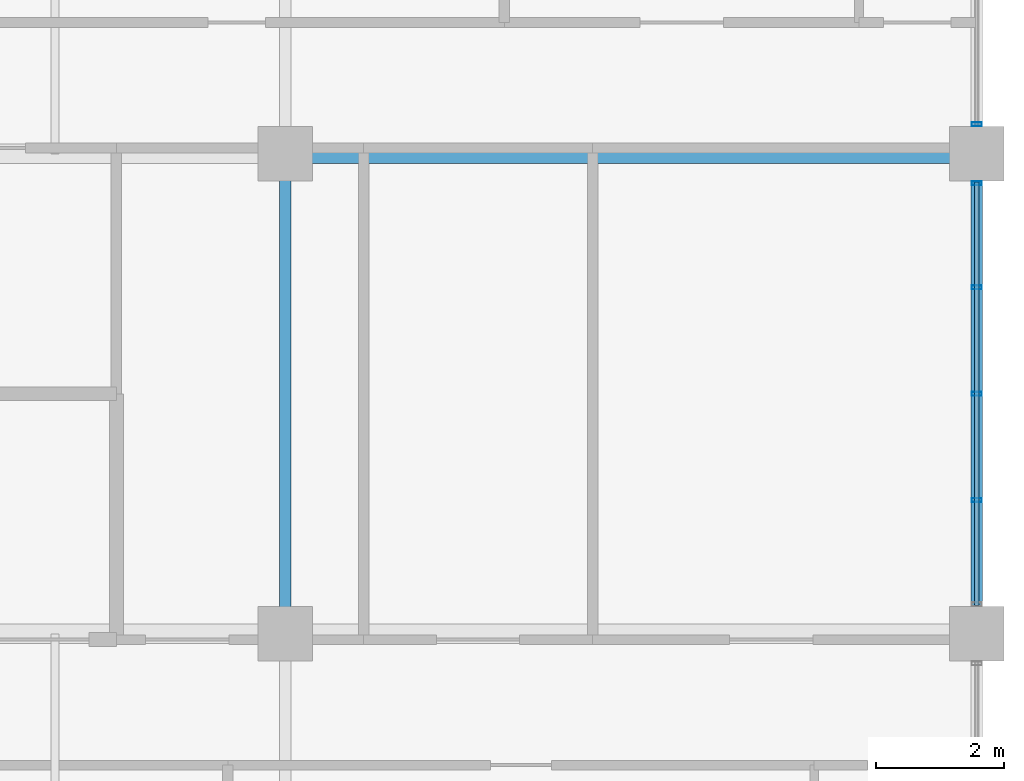
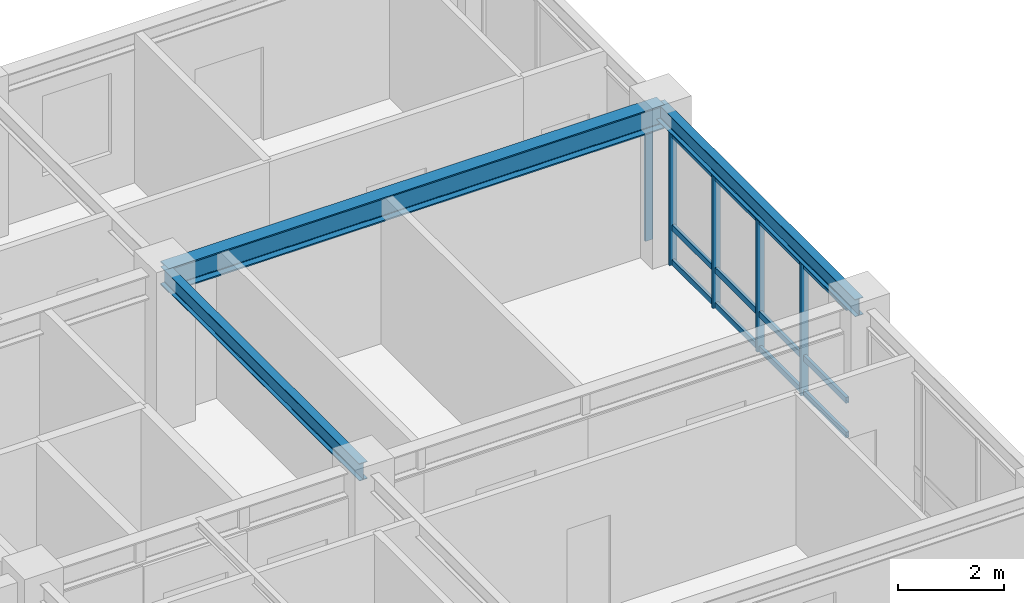
# One storey, part 3 of 10: 8 members, 3 beams, 2 elements without a shape of their own.
"""IFC4 building model written with IfcOpenShell, lengths in metres."""

from ifc_helpers import new_model, si_unit, direction, frame, origin, origin_2d, place, context, subcontext, project, spatial, hollow_rectangle, i_section, extrude, source, transform, mapped, material, layer, layer_set, material_profile, profile_set, type_object, element, aggregate, save


model = new_model("IFC4")

# Units and contexts
model_context = context("Model", 3, precision=1e-05, world=origin(), true_north=direction((0.0, 1.0)))
body_context = subcontext(model_context, "Body", "Model", "MODEL_VIEW")
ifc_project = project(units=[si_unit("LENGTHUNIT", "METRE"), si_unit("AREAUNIT", "SQUARE_METRE"), si_unit("VOLUMEUNIT", "CUBIC_METRE"), si_unit("PLANEANGLEUNIT", "RADIAN"), si_unit("MASSUNIT", "GRAM", prefix="KILO")], contexts=[model_context])

# Site, building, storey
site_placement = place(None, origin())
site = spatial("IfcSite", under=ifc_project, at=site_placement, CompositionType="ELEMENT")
building_placement = place(site_placement, origin())
building = spatial("IfcBuilding", under=site, at=building_placement, Name="Kaliganga Portal Commons", CompositionType="ELEMENT")
storey_placement = place(building_placement, frame((0.0, 0.0, 275.800048828125)))
storey = spatial("IfcBuildingStorey", under=building, at=storey_placement, Name="L71", CompositionType="ELEMENT", Elevation=275.800048828125)

# Beams
ifc_material_1 = material(Name="Structural steel S355J2", Category="steel")
ifc_material_profile_1 = material_profile(ifc_material_1, i_section(OverallWidth=0.300048828125, OverallDepth=0.550048828125, WebThickness=0.014892578125, FlangeThickness=0.029052734375, FilletRadius=0.027099609375, at=origin_2d()), Name="HE 550 B")
ifc_profile_set_1 = profile_set([ifc_material_profile_1], Name="Structural steel S355J2 wide-flange")
beam_type_1 = type_object("IfcBeamType", Name="BM-GIRD-550", PredefinedType="USERDEFINED", material=ifc_profile_set_1)
shared_shape_1 = source(origin(), body_context, "Body", "SweptSolid", [
    extrude(i_section(OverallWidth=0.300048828125, OverallDepth=0.550048828125, WebThickness=0.014892578125, FlangeThickness=0.029052734375, FilletRadius=0.027099609375, at=origin_2d()), origin(), (0.0, 0.0, 1.0), 10.800048828125),
])
beam_placement = place(storey_placement, frame((36.0, 36.14990234375, 3.199951171875), z_axis=(1.0, 0.0, 0.0), x_axis=(0.0, 1.0, 0.0)))
element("IfcBeam", 1, at=beam_placement, inside=storey, type_object=beam_type_1, Name="BM G L71 WAE_N 2", ObjectType="GIRDER", PredefinedType="USERDEFINED", context=body_context, shape_type="MappedRepresentation", body=[
    mapped(shared_shape_1, transform((0.0, 0.0, 0.0), x_axis=(1.0, 0.0, 0.0), y_axis=(0.0, 1.0, 0.0), z_axis=(0.0, 0.0, 1.0), scale=1.0)),
])
ifc_material_profile_2 = material_profile(ifc_material_1, i_section(OverallWidth=0.179931640625, OverallDepth=0.39990234375, WebThickness=0.008544921875, FlangeThickness=0.013427734375, FilletRadius=0.02099609375, at=origin_2d()), Name="IPE 400")
ifc_profile_set_2 = profile_set([ifc_material_profile_2], Name="Structural steel S355J2 wide-flange")
beam_type_2 = type_object("IfcBeamType", Name="BM-FLR-400", PredefinedType="BEAM", material=ifc_profile_set_2)
shared_shape_2 = source(origin(), body_context, "Body", "SweptSolid", [
    extrude(i_section(OverallWidth=0.179931640625, OverallDepth=0.39990234375, WebThickness=0.008544921875, FlangeThickness=0.013427734375, FilletRadius=0.02099609375, at=origin_2d()), origin(), (0.0, 0.0, 1.0), 7.5),
])
for number, where, z_axis, x_axis, name in (
    (2, (36.0, 28.64990234375, 3.27490234375), (0.0, 1.0, 0.0), (-1.0, 0.0, 0.0), "BM G L71 AM360"),
    (3, (46.800048828125, 28.64990234375, 3.27490234375), (0.0, 1.0, 0.0), (-1.0, 0.0, 0.0), "BM G L71 AM468"),
):
    element("IfcBeam", number, at=place(storey_placement, frame(where, z_axis=z_axis, x_axis=x_axis)), inside=storey, type_object=beam_type_2, Name=name, PredefinedType="BEAM", context=body_context, shape_type="MappedRepresentation", body=[
        mapped(shared_shape_2, transform((0.0, 0.0, 0.0), x_axis=(1.0, 0.0, 0.0), y_axis=(0.0, 1.0, 0.0), z_axis=(0.0, 0.0, 1.0), scale=1.0)),
    ])

# Curtain wall, members
ifc_material_2 = material(Name="Anodized Aluminium and Laminated Low-E Glass", Category="aluminium")
ifc_layer = layer(ifc_material_2, 0.18994140625)
ifc_layer_set = layer_set([ifc_layer], Name="Anodized Aluminium and Laminated Low-E Glass")
curtain_wall_type = type_object("IfcCurtainWallType", Name="CW-SYS-05", PredefinedType="NOTDEFINED", material=ifc_layer_set)
curtain_wall_1_placement = place(storey_placement, origin())
curtain_wall_1 = element("IfcCurtainWall", 4, at=curtain_wall_1_placement, inside=storey, type_object=curtain_wall_type, Name="CW 05 L71 P1E01S2", PredefinedType="NOTDEFINED")
ifc_material_3 = material(Name="Dark Bronze Anodized Aluminium", Category="aluminium")
ifc_material_profile_3 = material_profile(ifc_material_3, hollow_rectangle(XDim=0.06005859375, YDim=0.159912109375, WallThickness=0.00341796875, at=origin_2d()), Name="ALU MULL 60x160x3.5")
ifc_profile_set_3 = profile_set([ifc_material_profile_3], Name="Dark Bronze Anodized Aluminium")
member_type_1 = type_object("IfcMemberType", Name="CW-MUL-160", PredefinedType="MULLION", material=ifc_profile_set_3)
shared_shape_3 = source(origin(), body_context, "Body", "SweptSolid", [
    extrude(hollow_rectangle(XDim=0.06005859375, YDim=0.159912109375, WallThickness=0.00341796875, at=origin_2d()), origin(), (0.0, 0.0, 1.0), 3.074951171875),
])
member_1_placement = place(storey_placement, frame((46.800048828125, 30.738037109375, 0.0), z_axis=(0.0, 0.0, 1.0), x_axis=(0.0, 1.0, 0.0)))
member_1 = element("IfcMember", 5, at=member_1_placement, type_object=member_type_1, Name="CW:05:L71:P1E01S2 Mullion 01", PredefinedType="MULLION", context=body_context, shape_type="MappedRepresentation", body=[
    mapped(shared_shape_3, transform((0.0, 0.0, 0.0), x_axis=(1.0, 0.0, 0.0), y_axis=(0.0, 1.0, 0.0), z_axis=(0.0, 0.0, 1.0), scale=1.0)),
])
member_2_placement = place(storey_placement, frame((46.800048828125, 32.39990234375, 0.0), z_axis=(0.0, 0.0, 1.0), x_axis=(0.0, 1.0, 0.0)))
member_2 = element("IfcMember", 6, at=member_2_placement, type_object=member_type_1, Name="CW:05:L71:P1E01S2 Mullion 02", PredefinedType="MULLION", context=body_context, shape_type="MappedRepresentation", body=[
    mapped(shared_shape_3, transform((0.0, 0.0, 0.0), x_axis=(1.0, 0.0, 0.0), y_axis=(0.0, 1.0, 0.0), z_axis=(0.0, 0.0, 1.0), scale=1.0)),
])
member_3_placement = place(storey_placement, frame((46.800048828125, 34.06201171875, 0.0), z_axis=(0.0, 0.0, 1.0), x_axis=(0.0, 1.0, 0.0)))
member_3 = element("IfcMember", 7, at=member_3_placement, type_object=member_type_1, Name="CW:05:L71:P1E01S2 Mullion 03", PredefinedType="MULLION", context=body_context, shape_type="MappedRepresentation", body=[
    mapped(shared_shape_3, transform((0.0, 0.0, 0.0), x_axis=(1.0, 0.0, 0.0), y_axis=(0.0, 1.0, 0.0), z_axis=(0.0, 0.0, 1.0), scale=1.0)),
])
member_4_placement = place(storey_placement, frame((46.800048828125, 35.68896484375, 0.0), z_axis=(0.0, 0.0, 1.0), x_axis=(0.0, 1.0, 0.0)))
member_4 = element("IfcMember", 8, at=member_4_placement, type_object=member_type_1, Name="CW:05:L71:P1E01S2 Mullion 04", PredefinedType="MULLION", context=body_context, shape_type="MappedRepresentation", body=[
    mapped(shared_shape_3, transform((0.0, 0.0, 0.0), x_axis=(1.0, 0.0, 0.0), y_axis=(0.0, 1.0, 0.0), z_axis=(0.0, 0.0, 1.0), scale=1.0)),
])

# Curtain wall, member
curtain_wall_2_placement = place(storey_placement, origin())
curtain_wall_2 = element("IfcCurtainWall", 9, at=curtain_wall_2_placement, inside=storey, type_object=curtain_wall_type, Name="CW 05 L71 P1E01S3", PredefinedType="NOTDEFINED")
member_5_placement = place(storey_placement, frame((46.800048828125, 36.611083984375, 0.0), z_axis=(0.0, 0.0, 1.0), x_axis=(0.0, 1.0, 0.0)))
member_5 = element("IfcMember", 10, at=member_5_placement, type_object=member_type_1, Name="CW:05:L71:P1E01S3 Mullion 00", PredefinedType="MULLION", context=body_context, shape_type="MappedRepresentation", body=[
    mapped(shared_shape_3, transform((0.0, 0.0, 0.0), x_axis=(1.0, 0.0, 0.0), y_axis=(0.0, 1.0, 0.0), z_axis=(0.0, 0.0, 1.0), scale=1.0)),
])
aggregate(curtain_wall_2, [member_5])

# Member
ifc_material_profile_4 = material_profile(ifc_material_3, hollow_rectangle(XDim=0.06494140625, YDim=0.135009765625, WallThickness=0.00341796875, at=origin_2d()), Name="ALU TRAN 65x135x3.5")
ifc_profile_set_4 = profile_set([ifc_material_profile_4], Name="Dark Bronze Anodized Aluminium")
member_type_2 = type_object("IfcMemberType", Name="CW-TRN-135", PredefinedType="USERDEFINED", material=ifc_profile_set_4)
shared_shape_4 = source(origin(), body_context, "Body", "SweptSolid", [
    extrude(hollow_rectangle(XDim=0.06494140625, YDim=0.135009765625, WallThickness=0.00341796875, at=origin_2d()), origin(), (0.0, 0.0, 1.0), 6.608154296875),
])
member_6_placement = place(storey_placement, frame((46.800048828125, 29.095947265625, 0.06005859375), z_axis=(0.0, 1.0, 0.0), x_axis=(-1.0, 0.0, 0.0)))
member_6 = element("IfcMember", 11, at=member_6_placement, type_object=member_type_2, Name="CW:05:L71:P1E01S2 Transom 1", ObjectType="TRANSOM", PredefinedType="USERDEFINED", context=body_context, shape_type="MappedRepresentation", body=[
    mapped(shared_shape_4, transform((0.0, 0.0, 0.0), x_axis=(1.0, 0.0, 0.0), y_axis=(0.0, 1.0, 0.0), z_axis=(0.0, 0.0, 1.0), scale=1.0)),
])

member_7_placement = place(storey_placement, frame((46.800048828125, 29.095947265625, 0.86083984375), z_axis=(0.0, 1.0, 0.0), x_axis=(-1.0, 0.0, 0.0)))
member_7 = element("IfcMember", 12, at=member_7_placement, type_object=member_type_2, Name="CW:05:L71:P1E01S2 Transom 2", ObjectType="TRANSOM", PredefinedType="USERDEFINED", context=body_context, shape_type="MappedRepresentation", body=[
    mapped(shared_shape_4, transform((0.0, 0.0, 0.0), x_axis=(1.0, 0.0, 0.0), y_axis=(0.0, 1.0, 0.0), z_axis=(0.0, 0.0, 1.0), scale=1.0)),
])

member_8_placement = place(storey_placement, frame((46.800048828125, 29.095947265625, 2.994873046875), z_axis=(0.0, 1.0, 0.0), x_axis=(-1.0, 0.0, 0.0)))
member_8 = element("IfcMember", 13, at=member_8_placement, type_object=member_type_2, Name="CW:05:L71:P1E01S2 Transom 3", ObjectType="TRANSOM", PredefinedType="USERDEFINED", context=body_context, shape_type="MappedRepresentation", body=[
    mapped(shared_shape_4, transform((0.0, 0.0, 0.0), x_axis=(1.0, 0.0, 0.0), y_axis=(0.0, 1.0, 0.0), z_axis=(0.0, 0.0, 1.0), scale=1.0)),
])

aggregate(curtain_wall_1, [member_1, member_2, member_3, member_4, member_6, member_7, member_8])

save(model, "model.ifc")
